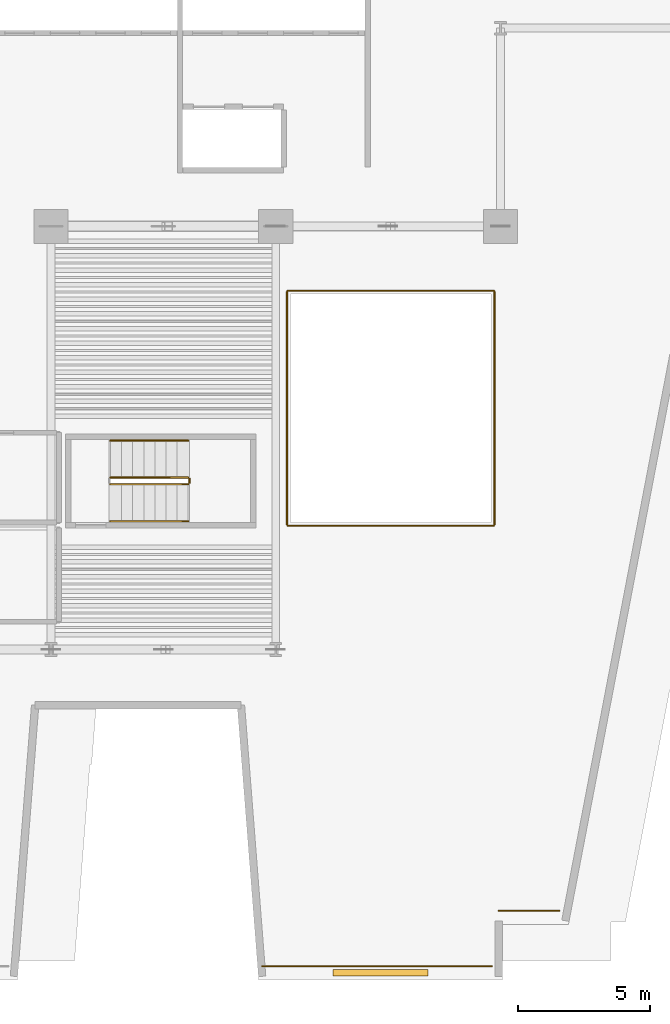
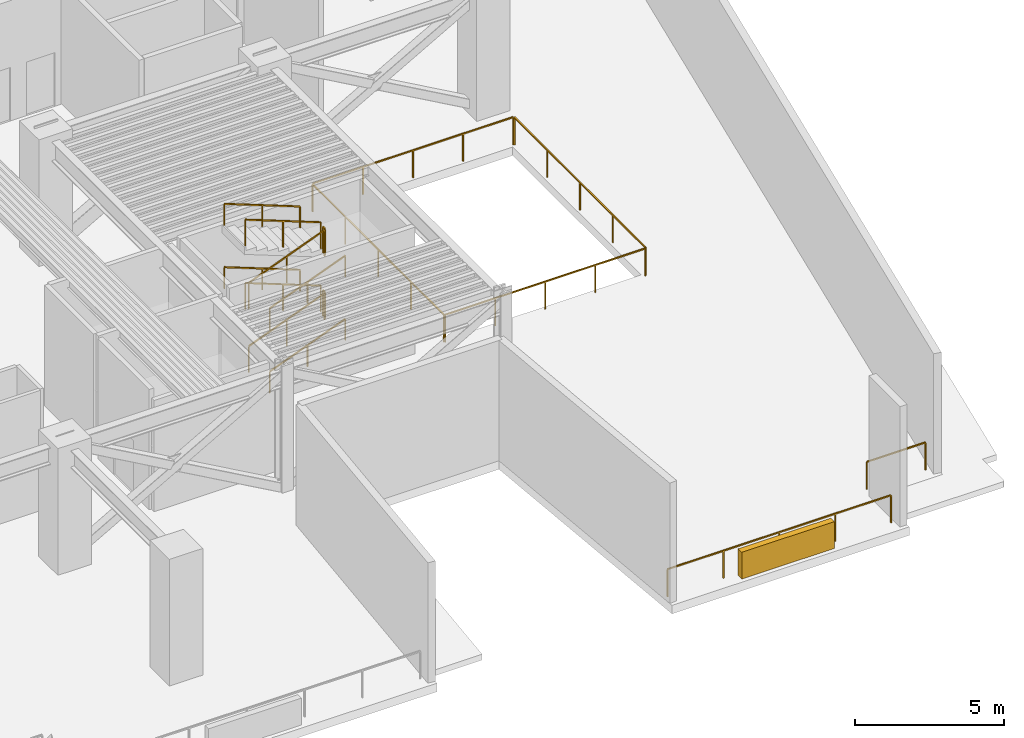
# One storey, part 7 of 8: 16 railings, 1 shading device.
"""IFC4 building model written with IfcOpenShell, lengths in metres."""

from ifc_helpers import new_model, si_unit, direction, frame, origin, origin_2d, place, context, subcontext, project, spatial, rectangle, extrude, material, layer, layer_set, type_object, element, save


model = new_model("IFC4")

# Units and contexts
model_context = context("Model", 3, precision=1e-05, world=origin(), true_north=direction((0.0, 1.0)))
body_context = subcontext(model_context, "Body", "Model", "MODEL_VIEW")
ifc_project = project(units=[si_unit("LENGTHUNIT", "METRE"), si_unit("AREAUNIT", "SQUARE_METRE"), si_unit("VOLUMEUNIT", "CUBIC_METRE"), si_unit("PLANEANGLEUNIT", "RADIAN"), si_unit("MASSUNIT", "GRAM", prefix="KILO")], contexts=[model_context])

# Site, building, storey
site_placement = place(None, origin())
site = spatial("IfcSite", under=ifc_project, at=site_placement, CompositionType="ELEMENT")
building_placement = place(site_placement, origin())
building = spatial("IfcBuilding", under=site, at=building_placement, Name="Caeloran Harvest Quay", CompositionType="ELEMENT")
storey_placement = place(building_placement, frame((0.0, 0.0, 106.199951171875)))
storey = spatial("IfcBuildingStorey", under=building, at=storey_placement, Name="L24", CompositionType="ELEMENT", Elevation=106.199951171875)

# Railings
ifc_material_1 = material(Name="Powder-Coated Steel Post and Laminated Glass Guardrail", Category="steel")
ifc_layer_1 = layer(ifc_material_1, 0.06005859375, Name="Powder-Coated Steel Post and Laminated Glass Guardrail")
ifc_layer_set_1 = layer_set([ifc_layer_1], Name="Powder-Coated Steel Post and Laminated Glass Guardrail")
railing_type_1 = type_object("IfcRailingType", Name="GUARD-ATRIUM-1150", PredefinedType="GUARDRAIL", material=ifc_layer_set_1)
railing_1_placement = place(storey_placement, frame((34.4619140625, 19.679931640625, 0.0)))
element("IfcRailing", 1, at=railing_1_placement, inside=storey, type_object=railing_type_1, Name="L24 East Botanical Lightwell Guardrail Seg 1", PredefinedType="GUARDRAIL", context=body_context, shape_type="SweptSolid", body=[
    extrude(rectangle(XDim=0.048095703125, YDim=0.048095703125, at=origin_2d()), frame((0.0, 0.0, 1.1259765625), z_axis=(1.0, 0.0, 0.0), x_axis=(0.0, 1.0, 0.0)), (0.0, 0.0, 1.0), 7.776123046875),
    extrude(rectangle(XDim=0.0419921875, YDim=0.0419921875, at=origin_2d()), origin(), (0.0, 0.0, 1.0), 1.101806640625),
    extrude(rectangle(XDim=0.0419921875, YDim=0.0419921875, at=origin_2d()), frame((1.944091796875, 0.0, 0.0)), (0.0, 0.0, 1.0), 1.101806640625),
    extrude(rectangle(XDim=0.0419921875, YDim=0.0419921875, at=origin_2d()), frame((3.88818359375, 0.0, 0.0)), (0.0, 0.0, 1.0), 1.101806640625),
    extrude(rectangle(XDim=0.0419921875, YDim=0.0419921875, at=origin_2d()), frame((5.83203125, 0.0, 0.0)), (0.0, 0.0, 1.0), 1.101806640625),
    extrude(rectangle(XDim=0.0419921875, YDim=0.0419921875, at=origin_2d()), frame((7.776123046875, 0.0, 0.0)), (0.0, 0.0, 1.0), 1.101806640625),
])
railing_2_placement = place(storey_placement, frame((42.27001953125, 19.7119140625, 0.0)))
element("IfcRailing", 2, at=railing_2_placement, inside=storey, type_object=railing_type_1, Name="L24 East Botanical Lightwell Guardrail Seg 2", PredefinedType="GUARDRAIL", context=body_context, shape_type="SweptSolid", body=[
    extrude(rectangle(XDim=0.048095703125, YDim=0.048095703125, at=origin_2d()), frame((0.0, 0.0, 1.1259765625), z_axis=(0.0, 1.0, 0.0), x_axis=(-1.0, 0.0, 0.0)), (0.0, 0.0, 1.0), 8.826171875),
    extrude(rectangle(XDim=0.0419921875, YDim=0.0419921875, at=origin_2d()), origin(), (0.0, 0.0, 1.0), 1.101806640625),
    extrude(rectangle(XDim=0.0419921875, YDim=0.0419921875, at=origin_2d()), frame((0.0, 2.20654296875, 0.0)), (0.0, 0.0, 1.0), 1.101806640625),
    extrude(rectangle(XDim=0.0419921875, YDim=0.0419921875, at=origin_2d()), frame((0.0, 4.4130859375, 0.0)), (0.0, 0.0, 1.0), 1.101806640625),
    extrude(rectangle(XDim=0.0419921875, YDim=0.0419921875, at=origin_2d()), frame((0.0, 6.61962890625, 0.0)), (0.0, 0.0, 1.0), 1.101806640625),
    extrude(rectangle(XDim=0.0419921875, YDim=0.0419921875, at=origin_2d()), frame((0.0, 8.826171875, 0.0)), (0.0, 0.0, 1.0), 1.101806640625),
])
railing_3_placement = place(storey_placement, frame((42.238037109375, 28.570068359375, 0.0)))
element("IfcRailing", 3, at=railing_3_placement, inside=storey, type_object=railing_type_1, Name="L24 East Botanical Lightwell Guardrail Seg 3", PredefinedType="GUARDRAIL", context=body_context, shape_type="SweptSolid", body=[
    extrude(rectangle(XDim=0.048095703125, YDim=0.048095703125, at=origin_2d()), frame((0.0, 0.0, 1.1259765625), z_axis=(-1.0, 0.0, 0.0), x_axis=(0.0, -1.0, 0.0)), (0.0, 0.0, 1.0), 7.776123046875),
    extrude(rectangle(XDim=0.0419921875, YDim=0.0419921875, at=origin_2d()), origin(), (0.0, 0.0, 1.0), 1.101806640625),
    extrude(rectangle(XDim=0.0419921875, YDim=0.0419921875, at=origin_2d()), frame((-1.944091796875, 0.0, 0.0)), (0.0, 0.0, 1.0), 1.101806640625),
    extrude(rectangle(XDim=0.0419921875, YDim=0.0419921875, at=origin_2d()), frame((-3.88818359375, 0.0, 0.0)), (0.0, 0.0, 1.0), 1.101806640625),
    extrude(rectangle(XDim=0.0419921875, YDim=0.0419921875, at=origin_2d()), frame((-5.83203125, 0.0, 0.0)), (0.0, 0.0, 1.0), 1.101806640625),
    extrude(rectangle(XDim=0.0419921875, YDim=0.0419921875, at=origin_2d()), frame((-7.776123046875, 0.0, 0.0)), (0.0, 0.0, 1.0), 1.101806640625),
])
railing_4_placement = place(storey_placement, frame((34.429931640625, 28.5380859375, 0.0)))
element("IfcRailing", 4, at=railing_4_placement, inside=storey, type_object=railing_type_1, Name="L24 East Botanical Lightwell Guardrail Seg 4", PredefinedType="GUARDRAIL", context=body_context, shape_type="SweptSolid", body=[
    extrude(rectangle(XDim=0.048095703125, YDim=0.048095703125, at=origin_2d()), frame((0.0, 0.0, 1.1259765625), z_axis=(0.0, -1.0, 0.0), x_axis=(1.0, 0.0, 0.0)), (0.0, 0.0, 1.0), 8.826171875),
    extrude(rectangle(XDim=0.0419921875, YDim=0.0419921875, at=origin_2d()), origin(), (0.0, 0.0, 1.0), 1.101806640625),
    extrude(rectangle(XDim=0.0419921875, YDim=0.0419921875, at=origin_2d()), frame((0.0, -2.20654296875, 0.0)), (0.0, 0.0, 1.0), 1.101806640625),
    extrude(rectangle(XDim=0.0419921875, YDim=0.0419921875, at=origin_2d()), frame((0.0, -4.4130859375, 0.0)), (0.0, 0.0, 1.0), 1.101806640625),
    extrude(rectangle(XDim=0.0419921875, YDim=0.0419921875, at=origin_2d()), frame((0.0, -6.61962890625, 0.0)), (0.0, 0.0, 1.0), 1.101806640625),
    extrude(rectangle(XDim=0.0419921875, YDim=0.0419921875, at=origin_2d()), frame((0.0, -8.826171875, 0.0)), (0.0, 0.0, 1.0), 1.101806640625),
])
ifc_material_2 = material(Name="Laminated Safety Glass and Stainless Steel 316", Category="steel")
ifc_layer_2 = layer(ifc_material_2, 0.06005859375, Name="Laminated Safety Glass and Stainless Steel 316")
ifc_layer_set_2 = layer_set([ifc_layer_2], Name="Laminated Safety Glass and Stainless Steel 316")
railing_type_2 = type_object("IfcRailingType", Name="GUARD-BALUSTRADE-1150", PredefinedType="BALUSTRADE", material=ifc_layer_set_2)
railing_5_placement = place(storey_placement, frame((44.712158203125, 5.1201171875, 0.0)))
element("IfcRailing", 5, at=railing_5_placement, inside=storey, type_object=railing_type_2, Name="L24 Open Refuge and Wind-Slot Perimeter Balustrade 10", PredefinedType="BALUSTRADE", context=body_context, shape_type="SweptSolid", body=[
    extrude(rectangle(XDim=0.048095703125, YDim=0.048095703125, at=origin_2d()), frame((0.0, 0.0, 1.1259765625), z_axis=(-1.0, 0.0, 0.0), x_axis=(0.0, -1.0, 0.0)), (0.0, 0.0, 1.0), 2.2822265625),
    extrude(rectangle(XDim=0.0419921875, YDim=0.0419921875, at=origin_2d()), origin(), (0.0, 0.0, 1.0), 1.101806640625),
    extrude(rectangle(XDim=0.0419921875, YDim=0.0419921875, at=origin_2d()), frame((-2.2822265625, 0.0, 0.0)), (0.0, 0.0, 1.0), 1.101806640625),
])
railing_6_placement = place(storey_placement, frame((42.16259765625, 3.02001953125, 0.0)))
element("IfcRailing", 6, at=railing_6_placement, inside=storey, type_object=railing_type_2, Name="L24 Open Refuge and Wind-Slot Perimeter Balustrade 12", PredefinedType="BALUSTRADE", context=body_context, shape_type="SweptSolid", body=[
    extrude(rectangle(XDim=0.048095703125, YDim=0.048095703125, at=origin_2d()), frame((0.0, 0.0, 1.1259765625), z_axis=(-1.0, 0.0, 0.0), x_axis=(0.0, -1.0, 0.0)), (0.0, 0.0, 1.0), 8.677978515625),
    extrude(rectangle(XDim=0.0419921875, YDim=0.0419921875, at=origin_2d()), origin(), (0.0, 0.0, 1.0), 1.101806640625),
    extrude(rectangle(XDim=0.0419921875, YDim=0.0419921875, at=origin_2d()), frame((-2.16943359375, 0.0, 0.0)), (0.0, 0.0, 1.0), 1.101806640625),
    extrude(rectangle(XDim=0.0419921875, YDim=0.0419921875, at=origin_2d()), frame((-4.3388671875, 0.0, 0.0)), (0.0, 0.0, 1.0), 1.101806640625),
    extrude(rectangle(XDim=0.0419921875, YDim=0.0419921875, at=origin_2d()), frame((-6.508544921875, 0.0, 0.0)), (0.0, 0.0, 1.0), 1.101806640625),
    extrude(rectangle(XDim=0.0419921875, YDim=0.0419921875, at=origin_2d()), frame((-8.677978515625, 0.0, 0.0)), (0.0, 0.0, 1.0), 1.101806640625),
])

# Shading device
ifc_material_3 = material(Name="6063-T6 Extruded Aluminium Acoustic Weather Louvre", Category="aluminium")
shading_device_type = type_object("IfcShadingDeviceType", Name="SHADE-LOUVRE-PLANT", PredefinedType="JALOUSIE", material=ifc_material_3)
shading_device_placement = place(storey_placement, frame((37.957275390625, 2.780029296875, 0.0), z_axis=(0.0, 0.0, 1.0), x_axis=(-1.0, 0.0, 0.0)))
element("IfcShadingDevice", 7, at=shading_device_placement, inside=storey, type_object=shading_device_type, Name="L24 Acoustic Weather Louvre 12", PredefinedType="JALOUSIE", context=body_context, shape_type="SweptSolid", body=[
    extrude(rectangle(XDim=3.60009765625, YDim=0.239990234375, at=origin_2d()), origin(), (0.0, 0.0, 1.0), 1.10009765625),
])

# Railings
ifc_material_4 = material(Name="Painted Steel Baluster and Top-Rail Stair Guard", Category="steel")
ifc_layer_3 = layer(ifc_material_4, 0.050048828125, Name="Painted Steel Baluster and Top-Rail Stair Guard")
ifc_layer_set_3 = layer_set([ifc_layer_3], Name="Painted Steel Baluster and Top-Rail Stair Guard")
railing_type_3 = type_object("IfcRailingType", Name="STAIR-GUARD-1100", PredefinedType="GUARDRAIL", material=ifc_layer_set_3)
railing_7_placement = place(storey_placement, frame((27.75, 21.25, 0.16259765625)))
element("IfcRailing", 8, at=railing_7_placement, inside=storey, type_object=railing_type_3, Name="L24 ST-W1 stair guard 1", PredefinedType="GUARDRAIL", context=body_context, shape_type="SweptSolid", body=[
    extrude(rectangle(XDim=0.048095703125, YDim=0.048095703125, at=origin_2d()), frame((0.0, 0.0, 1.076171875), z_axis=(0.932631164014, 0.0, 0.360831140437), x_axis=(0.0, 1.0, 0.0)), (0.0, 0.0, 1.0), 3.15234375),
    extrude(rectangle(XDim=0.0419921875, YDim=0.0419921875, at=origin_2d()), origin(), (0.0, 0.0, 1.0), 1.052001953125),
    extrude(rectangle(XDim=0.0419921875, YDim=0.0419921875, at=origin_2d()), frame((1.469970703125, 0.0, 0.56884765625)), (0.0, 0.0, 1.0), 1.052001953125),
    extrude(rectangle(XDim=0.0419921875, YDim=0.0419921875, at=origin_2d()), frame((2.93994140625, 0.0, 1.137451171875)), (0.0, 0.0, 1.0), 1.052001953125),
])
railing_8_placement = place(storey_placement, frame((30.739990234375, 21.300048828125, 1.300048828125)))
element("IfcRailing", 9, at=railing_8_placement, inside=storey, type_object=railing_type_3, Name="L24 ST-W1 stair guard 2", PredefinedType="GUARDRAIL", context=body_context, shape_type="SweptSolid", body=[
    extrude(rectangle(XDim=0.048095703125, YDim=0.048095703125, at=origin_2d()), frame((0.0, 0.0, 1.076171875), z_axis=(0.0, 1.0, 0.0), x_axis=(-1.0, 0.0, 0.0)), (0.0, 0.0, 1.0), 0.14990234375),
    extrude(rectangle(XDim=0.0419921875, YDim=0.0419921875, at=origin_2d()), origin(), (0.0, 0.0, 1.0), 1.052001953125),
    extrude(rectangle(XDim=0.0419921875, YDim=0.0419921875, at=origin_2d()), frame((0.0, 0.14990234375, 0.0)), (0.0, 0.0, 1.0), 1.052001953125),
])
railing_9_placement = place(storey_placement, frame((30.68994140625, 21.5, 1.462646484375)))
element("IfcRailing", 10, at=railing_9_placement, inside=storey, type_object=railing_type_3, Name="L24 ST-W1 stair guard 3", PredefinedType="GUARDRAIL", context=body_context, shape_type="SweptSolid", body=[
    extrude(rectangle(XDim=0.048095703125, YDim=0.048095703125, at=origin_2d()), frame((0.0, 0.0, 1.076171875), z_axis=(-0.932631164014, 0.0, 0.360831140437), x_axis=(0.0, -1.0, 0.0)), (0.0, 0.0, 1.0), 3.15234375),
    extrude(rectangle(XDim=0.0419921875, YDim=0.0419921875, at=origin_2d()), origin(), (0.0, 0.0, 1.0), 1.052001953125),
    extrude(rectangle(XDim=0.0419921875, YDim=0.0419921875, at=origin_2d()), frame((-1.469970703125, 0.0, 0.56884765625)), (0.0, 0.0, 1.0), 1.052001953125),
    extrude(rectangle(XDim=0.0419921875, YDim=0.0419921875, at=origin_2d()), frame((-2.93994140625, 0.0, 1.137451171875)), (0.0, 0.0, 1.0), 1.052001953125),
])
railing_10_placement = place(storey_placement, frame((27.75, 21.25, 2.762451171875)))
element("IfcRailing", 11, at=railing_10_placement, inside=storey, type_object=railing_type_3, Name="L24 ST-W1 stair guard 5", PredefinedType="GUARDRAIL", context=body_context, shape_type="SweptSolid", body=[
    extrude(rectangle(XDim=0.048095703125, YDim=0.048095703125, at=origin_2d()), frame((0.0, 0.0, 1.076171875), z_axis=(0.93260509926, 0.0, 0.360898502122), x_axis=(0.0, 1.0, 0.0)), (0.0, 0.0, 1.0), 3.15234375),
    extrude(rectangle(XDim=0.0419921875, YDim=0.0419921875, at=origin_2d()), origin(), (0.0, 0.0, 1.0), 1.052001953125),
    extrude(rectangle(XDim=0.0419921875, YDim=0.0419921875, at=origin_2d()), frame((1.469970703125, 0.0, 0.56884765625)), (0.0, 0.0, 1.0), 1.052001953125),
    extrude(rectangle(XDim=0.0419921875, YDim=0.0419921875, at=origin_2d()), frame((2.93994140625, 0.0, 1.1376953125)), (0.0, 0.0, 1.0), 1.052001953125),
])
railing_11_placement = place(storey_placement, frame((30.739990234375, 21.300048828125, 3.900146484375)))
element("IfcRailing", 12, at=railing_11_placement, inside=storey, type_object=railing_type_3, Name="L24 ST-W1 stair guard 6", PredefinedType="GUARDRAIL", context=body_context, shape_type="SweptSolid", body=[
    extrude(rectangle(XDim=0.048095703125, YDim=0.048095703125, at=origin_2d()), frame((0.0, 0.0, 1.076171875), z_axis=(0.0, 1.0, 0.0), x_axis=(-1.0, 0.0, 0.0)), (0.0, 0.0, 1.0), 0.14990234375),
    extrude(rectangle(XDim=0.0419921875, YDim=0.0419921875, at=origin_2d()), origin(), (0.0, 0.0, 1.0), 1.052001953125),
    extrude(rectangle(XDim=0.0419921875, YDim=0.0419921875, at=origin_2d()), frame((0.0, 0.14990234375, 0.0)), (0.0, 0.0, 1.0), 1.052001953125),
])
railing_12_placement = place(storey_placement, frame((30.68994140625, 21.5, 4.0625)))
element("IfcRailing", 13, at=railing_12_placement, inside=storey, type_object=railing_type_3, Name="L24 ST-W1 stair guard 7", PredefinedType="GUARDRAIL", context=body_context, shape_type="SweptSolid", body=[
    extrude(rectangle(XDim=0.048095703125, YDim=0.048095703125, at=origin_2d()), frame((0.0, 0.0, 1.076171875), z_axis=(-0.932631164014, 0.0, 0.360831140437), x_axis=(0.0, -1.0, 0.0)), (0.0, 0.0, 1.0), 3.15234375),
    extrude(rectangle(XDim=0.0419921875, YDim=0.0419921875, at=origin_2d()), origin(), (0.0, 0.0, 1.0), 1.052001953125),
    extrude(rectangle(XDim=0.0419921875, YDim=0.0419921875, at=origin_2d()), frame((-1.469970703125, 0.0, 0.56884765625)), (0.0, 0.0, 1.0), 1.052001953125),
    extrude(rectangle(XDim=0.0419921875, YDim=0.0419921875, at=origin_2d()), frame((-2.93994140625, 0.0, 1.137451171875)), (0.0, 0.0, 1.0), 1.052001953125),
])
ifc_material_5 = material(Name="Brushed Stainless Steel Grade 304", Category="steel")
ifc_layer_4 = layer(ifc_material_5, 0.050048828125, Name="Brushed Stainless Steel Grade 304")
ifc_layer_set_4 = layer_set([ifc_layer_4], Name="Brushed Stainless Steel Grade 304")
railing_type_4 = type_object("IfcRailingType", Name="STAIR-HANDRAIL-900", PredefinedType="HANDRAIL", material=ifc_layer_set_4)
railing_13_placement = place(storey_placement, frame((27.75, 19.85009765625, 0.16259765625)))
element("IfcRailing", 14, at=railing_13_placement, inside=storey, type_object=railing_type_4, Name="L24 ST-W1 stair handrail 1", PredefinedType="HANDRAIL", context=body_context, shape_type="SweptSolid", body=[
    extrude(rectangle(XDim=0.048095703125, YDim=0.048095703125, at=origin_2d()), frame((0.0, 0.0, 0.8759765625), z_axis=(0.932631164014, 0.0, 0.360831140437), x_axis=(0.0, 1.0, 0.0)), (0.0, 0.0, 1.0), 3.15234375),
    extrude(rectangle(XDim=0.0419921875, YDim=0.0419921875, at=origin_2d()), origin(), (0.0, 0.0, 1.0), 0.851806640625),
    extrude(rectangle(XDim=0.0419921875, YDim=0.0419921875, at=origin_2d()), frame((1.469970703125, 0.0, 0.56884765625)), (0.0, 0.0, 1.0), 0.851806640625),
    extrude(rectangle(XDim=0.0419921875, YDim=0.0419921875, at=origin_2d()), frame((2.93994140625, 0.0, 1.137451171875)), (0.0, 0.0, 1.0), 0.851806640625),
])
railing_14_placement = place(storey_placement, frame((30.68994140625, 22.89990234375, 1.462646484375)))
element("IfcRailing", 15, at=railing_14_placement, inside=storey, type_object=railing_type_4, Name="L24 ST-W1 stair handrail 2", PredefinedType="HANDRAIL", context=body_context, shape_type="SweptSolid", body=[
    extrude(rectangle(XDim=0.048095703125, YDim=0.048095703125, at=origin_2d()), frame((0.0, 0.0, 0.8759765625), z_axis=(-0.932631164014, 0.0, 0.360831140437), x_axis=(0.0, -1.0, 0.0)), (0.0, 0.0, 1.0), 3.15234375),
    extrude(rectangle(XDim=0.0419921875, YDim=0.0419921875, at=origin_2d()), origin(), (0.0, 0.0, 1.0), 0.851806640625),
    extrude(rectangle(XDim=0.0419921875, YDim=0.0419921875, at=origin_2d()), frame((-1.469970703125, 0.0, 0.56884765625)), (0.0, 0.0, 1.0), 0.851806640625),
    extrude(rectangle(XDim=0.0419921875, YDim=0.0419921875, at=origin_2d()), frame((-2.93994140625, 0.0, 1.137451171875)), (0.0, 0.0, 1.0), 0.851806640625),
])
railing_15_placement = place(storey_placement, frame((27.75, 19.85009765625, 2.762451171875)))
element("IfcRailing", 16, at=railing_15_placement, inside=storey, type_object=railing_type_4, Name="L24 ST-W1 stair handrail 3", PredefinedType="HANDRAIL", context=body_context, shape_type="SweptSolid", body=[
    extrude(rectangle(XDim=0.048095703125, YDim=0.048095703125, at=origin_2d()), frame((0.0, 0.0, 0.8759765625), z_axis=(0.93260509926, 0.0, 0.360898502122), x_axis=(0.0, 1.0, 0.0)), (0.0, 0.0, 1.0), 3.15234375),
    extrude(rectangle(XDim=0.0419921875, YDim=0.0419921875, at=origin_2d()), origin(), (0.0, 0.0, 1.0), 0.851806640625),
    extrude(rectangle(XDim=0.0419921875, YDim=0.0419921875, at=origin_2d()), frame((1.469970703125, 0.0, 0.56884765625)), (0.0, 0.0, 1.0), 0.851806640625),
    extrude(rectangle(XDim=0.0419921875, YDim=0.0419921875, at=origin_2d()), frame((2.93994140625, 0.0, 1.1376953125)), (0.0, 0.0, 1.0), 0.851806640625),
])
railing_16_placement = place(storey_placement, frame((30.68994140625, 22.89990234375, 4.0625)))
element("IfcRailing", 17, at=railing_16_placement, inside=storey, type_object=railing_type_4, Name="L24 ST-W1 stair handrail 4", PredefinedType="HANDRAIL", context=body_context, shape_type="SweptSolid", body=[
    extrude(rectangle(XDim=0.048095703125, YDim=0.048095703125, at=origin_2d()), frame((0.0, 0.0, 0.8759765625), z_axis=(-0.932631164014, 0.0, 0.360831140437), x_axis=(0.0, -1.0, 0.0)), (0.0, 0.0, 1.0), 3.15234375),
    extrude(rectangle(XDim=0.0419921875, YDim=0.0419921875, at=origin_2d()), origin(), (0.0, 0.0, 1.0), 0.851806640625),
    extrude(rectangle(XDim=0.0419921875, YDim=0.0419921875, at=origin_2d()), frame((-1.469970703125, 0.0, 0.56884765625)), (0.0, 0.0, 1.0), 0.851806640625),
    extrude(rectangle(XDim=0.0419921875, YDim=0.0419921875, at=origin_2d()), frame((-2.93994140625, 0.0, 1.137451171875)), (0.0, 0.0, 1.0), 0.851806640625),
])

save(model, "model.ifc")
